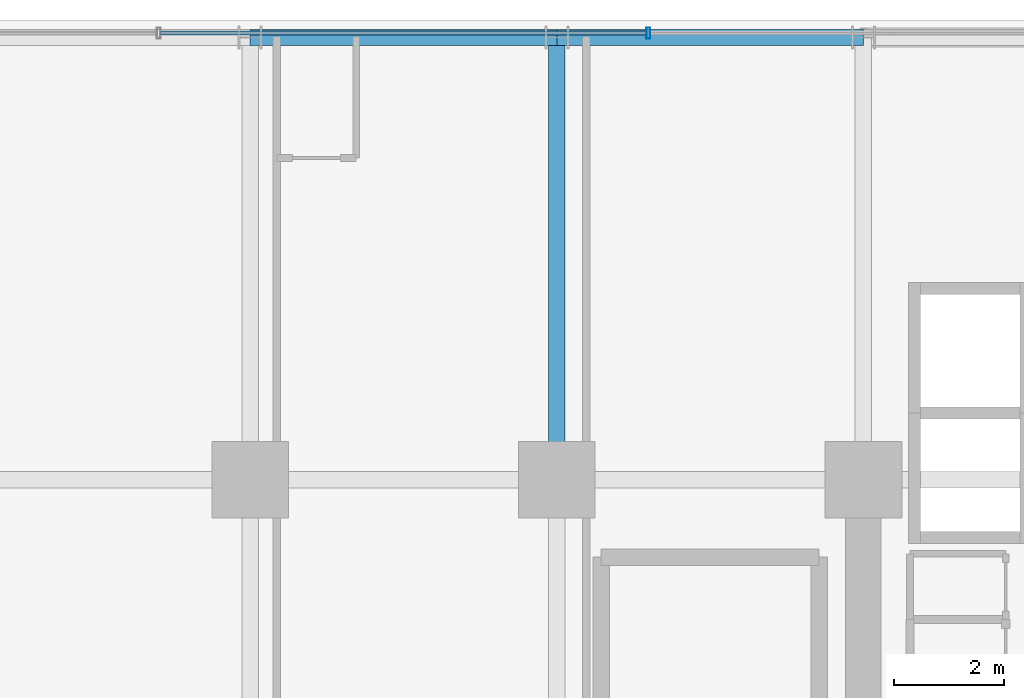
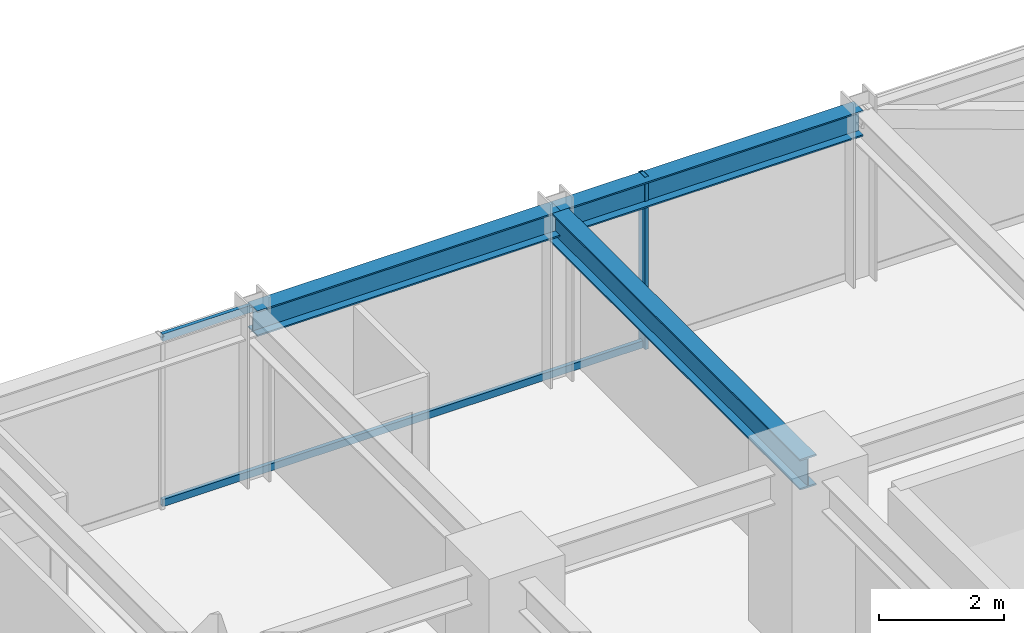
# One storey, part 23 of 35: 3 beams, 3 members, 1 element without a shape of its own.
"""IFC4 building model written with IfcOpenShell, lengths in metres."""

from ifc_helpers import new_model, si_unit, direction, frame, origin, origin_2d, place, context, subcontext, project, spatial, hollow_rectangle, i_section, extrude, source, transform, mapped, material, material_profile, profile_set, type_object, element, aggregate, save


model = new_model("IFC4")

# Units and contexts
model_context = context("Model", 3, precision=1e-05, world=origin(), true_north=direction((0.0, 1.0)))
body_context = subcontext(model_context, "Body", "Model", "MODEL_VIEW")
ifc_project = project(units=[si_unit("LENGTHUNIT", "METRE"), si_unit("AREAUNIT", "SQUARE_METRE"), si_unit("VOLUMEUNIT", "CUBIC_METRE"), si_unit("PLANEANGLEUNIT", "RADIAN"), si_unit("MASSUNIT", "GRAM", prefix="KILO")], contexts=[model_context])

# Site, building, storey
site_placement = place(None, origin())
site = spatial("IfcSite", under=ifc_project, at=site_placement, CompositionType="ELEMENT")
building_placement = place(site_placement, origin())
building = spatial("IfcBuilding", under=site, at=building_placement, Name="Nahalor Promenade Grand Hotel", CompositionType="ELEMENT")
storey_placement = place(building_placement, frame((0.0, 0.0, 43.35009765625)))
storey = spatial("IfcBuildingStorey", under=building, at=storey_placement, Name="L09", CompositionType="ELEMENT", Elevation=43.35009765625)

# Beams
ifc_material_1 = material(Name="Steel S355JR", Category="steel")
ifc_material_profile_1 = material_profile(ifc_material_1, i_section(OverallWidth=0.3, OverallDepth=0.5, WebThickness=0.0145, FlangeThickness=0.028, at=origin_2d()), Name="HEB 500")
ifc_profile_set_1 = profile_set([ifc_material_profile_1], Name="Steel S355JR")
beam_type_1 = type_object("IfcBeamType", Name="Beam-Spandrel-HEB500", PredefinedType="SPANDREL", material=ifc_profile_set_1)
shared_shape_1 = source(origin(), body_context, "Body", "SweptSolid", [
    extrude(i_section(OverallWidth=0.3, OverallDepth=0.5, WebThickness=0.0145, FlangeThickness=0.028, at=origin_2d()), origin(), (0.0, 0.0, 1.0), 5.599853515625),
])
beam_1_placement = place(storey_placement, frame((2.800048828125, 25.080078125, 3.119873046875), z_axis=(1.0, 0.0, 0.0), x_axis=(0.0, 1.0, 0.0)))
element("IfcBeam", 1, at=beam_1_placement, inside=storey, type_object=beam_type_1, Name="BM-L09-SP-N-3", PredefinedType="SPANDREL", context=body_context, shape_type="MappedRepresentation", body=[
    mapped(shared_shape_1, transform((0.0, 0.0, 0.0), scale=1.0)),
])
shared_shape_2 = source(origin(), body_context, "Body", "SweptSolid", [
    extrude(i_section(OverallWidth=0.3, OverallDepth=0.5, WebThickness=0.0145, FlangeThickness=0.028, at=origin_2d()), origin(), (0.0, 0.0, 1.0), 5.60009765625),
])
beam_2_placement = place(storey_placement, frame((-2.800048828125, 25.080078125, 3.119873046875), z_axis=(1.0, 0.0, 0.0), x_axis=(0.0, 1.0, 0.0)))
element("IfcBeam", 2, at=beam_2_placement, inside=storey, type_object=beam_type_1, Name="BM-L09-SP-N-2", PredefinedType="SPANDREL", context=body_context, shape_type="MappedRepresentation", body=[
    mapped(shared_shape_2, transform((0.0, 0.0, 0.0), scale=1.0)),
])
ifc_material_profile_2 = material_profile(ifc_material_1, i_section(OverallWidth=0.3, OverallDepth=0.6, WebThickness=0.0155, FlangeThickness=0.03, at=origin_2d()), Name="HEB 600")
ifc_profile_set_2 = profile_set([ifc_material_profile_2], Name="Steel S355JR")
beam_type_2 = type_object("IfcBeamType", Name="Beam-Girder-HEB600", PredefinedType="BEAM", material=ifc_profile_set_2)
shared_shape_3 = source(origin(), body_context, "Body", "SweptSolid", [
    extrude(i_section(OverallWidth=0.3, OverallDepth=0.6, WebThickness=0.0155, FlangeThickness=0.03, at=origin_2d()), origin(), (0.0, 0.0, 1.0), 8.080078125),
])
beam_3_placement = place(storey_placement, frame((2.800048828125, 17.0, 3.06982421875), z_axis=(0.0, 1.0, 0.0), x_axis=(-1.0, 0.0, 0.0)))
element("IfcBeam", 3, at=beam_3_placement, inside=storey, type_object=beam_type_2, Name="BM-L09-GY-3-4", PredefinedType="BEAM", context=body_context, shape_type="MappedRepresentation", body=[
    mapped(shared_shape_3, transform((0.0, 0.0, 0.0), scale=1.0)),
])

# Curtain wall, members
ifc_material_2 = material(Name="Anodised Bronze Aluminium EN AW-6063 T6", Category="aluminium")
curtain_wall_type = type_object("IfcCurtainWallType", Name="CW3 Elliptical-Void Collar Unitised Curtain Wall", PredefinedType="USERDEFINED", material=ifc_material_2)
curtain_wall_placement = place(storey_placement, origin())
curtain_wall = element("IfcCurtainWall", 4, at=curtain_wall_placement, inside=storey, type_object=curtain_wall_type, Name="L09 Curtain Wall CW-L09-N-1", ObjectType="UNITISED_CURTAIN_WALL", PredefinedType="USERDEFINED")
ifc_material_profile_3 = material_profile(ifc_material_2, hollow_rectangle(XDim=0.07, YDim=0.2, WallThickness=0.005, at=origin_2d()), Name="CWM 70x200x5")
ifc_profile_set_3 = profile_set([ifc_material_profile_3], Name="Anodised Bronze Aluminium EN AW-6063 T6")
member_type_1 = type_object("IfcMemberType", Name="CWM3 Void Collar Mullion 70x200", PredefinedType="MULLION", material=ifc_profile_set_3)
shared_shape_4 = source(origin(), body_context, "Body", "SweptSolid", [
    extrude(hollow_rectangle(XDim=0.07, YDim=0.2, WallThickness=0.005, at=origin_2d()), origin(), (0.0, 0.0, 1.0), 3.369873046875),
])
member_1_placement = place(storey_placement, frame((4.471923828125, 25.159912109375, 0.0), z_axis=(0.0, 0.0, 1.0), x_axis=(1.0, 0.0, 0.0)))
member_1 = element("IfcMember", 5, at=member_1_placement, type_object=member_type_1, Name="CW-L09-N-1 Mullion 3", PredefinedType="MULLION", context=body_context, shape_type="MappedRepresentation", body=[
    mapped(shared_shape_4, transform((0.0, 0.0, 0.0), scale=1.0)),
])
ifc_material_profile_4 = material_profile(ifc_material_2, hollow_rectangle(XDim=0.07, YDim=0.14, WallThickness=0.004, at=origin_2d()), Name="CWT 70x140x4")
ifc_profile_set_4 = profile_set([ifc_material_profile_4], Name="Anodised Bronze Aluminium EN AW-6063 T6")
member_type_2 = type_object("IfcMemberType", Name="CWT3 Void Collar Transom 70x140", PredefinedType="USERDEFINED", material=ifc_profile_set_4)
shared_shape_5 = source(origin(), body_context, "Body", "SweptSolid", [
    extrude(hollow_rectangle(XDim=0.07, YDim=0.14, WallThickness=0.004, at=origin_2d()), origin(), (0.0, 0.0, 1.0), 8.8740234375),
])
member_2_placement = place(storey_placement, frame((-4.43701171875, 25.159912109375, 0.06982421875), z_axis=(1.0, 0.0, 0.0), x_axis=(0.0, 1.0, 0.0)))
member_2 = element("IfcMember", 6, at=member_2_placement, type_object=member_type_2, Name="CW-L09-N-1 Transom 2-0", ObjectType="TRANSOM", PredefinedType="USERDEFINED", context=body_context, shape_type="MappedRepresentation", body=[
    mapped(shared_shape_5, transform((0.0, 0.0, 0.0), scale=1.0)),
])
member_3_placement = place(storey_placement, frame((-4.43701171875, 25.159912109375, 3.2998046875), z_axis=(1.0, 0.0, 0.0), x_axis=(0.0, 1.0, 0.0)))
member_3 = element("IfcMember", 7, at=member_3_placement, type_object=member_type_2, Name="CW-L09-N-1 Transom 2-1", ObjectType="TRANSOM", PredefinedType="USERDEFINED", context=body_context, shape_type="MappedRepresentation", body=[
    mapped(shared_shape_5, transform((0.0, 0.0, 0.0), scale=1.0)),
])
aggregate(curtain_wall, [member_1, member_2, member_3])

save(model, "model.ifc")
